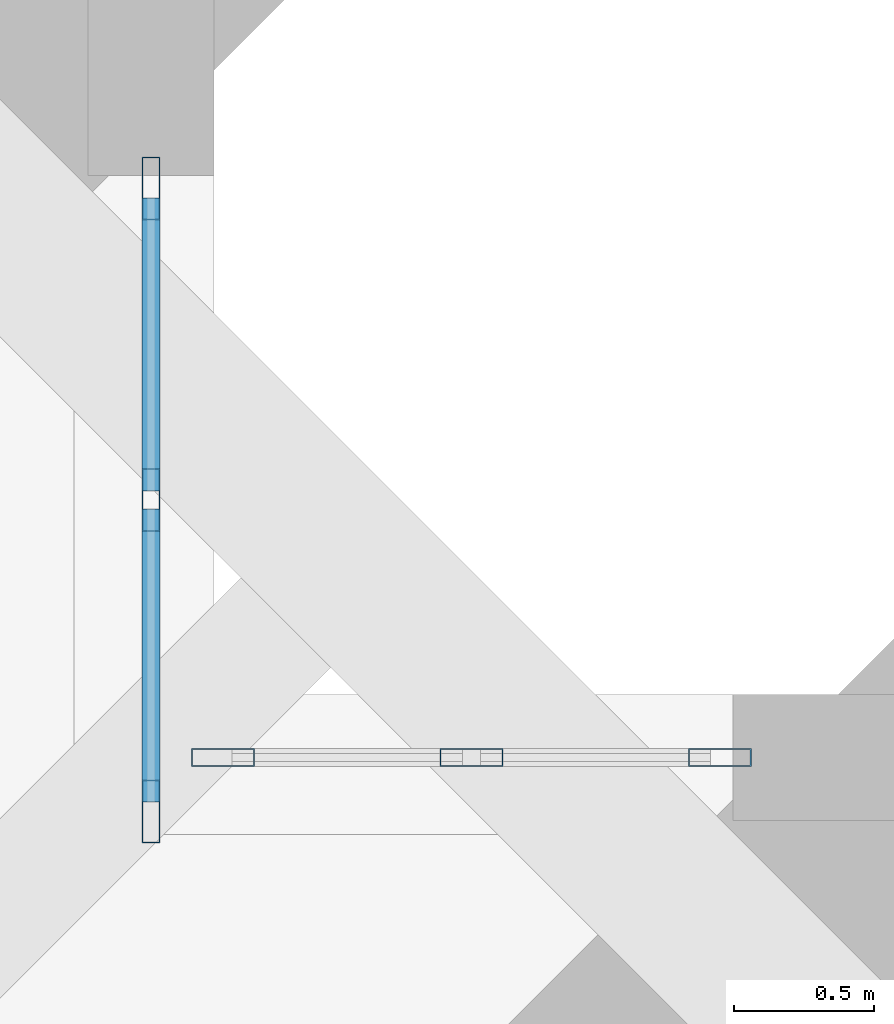
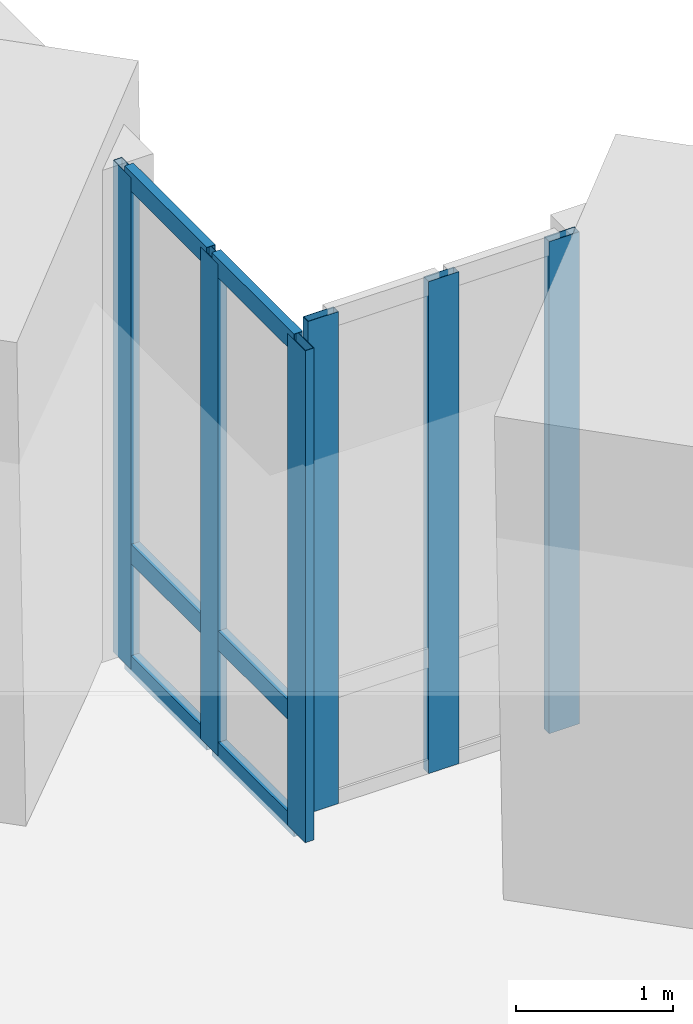
# One storey, part 8 of 16: 12 members, 2 elements without a shape of their own.
"""IFC4 building model written with IfcOpenShell, lengths in metres."""

from ifc_helpers import new_model, si_unit, direction, frame, origin, origin_2d, place, context, subcontext, project, spatial, hollow_rectangle, extrude, material, material_profile, profile_set, type_object, element, aggregate, save


model = new_model("IFC4")

# Units and contexts
model_context = context("Model", 3, precision=1e-05, world=origin(), true_north=direction((0.0, 1.0)))
body_context = subcontext(model_context, "Body", "Model", "MODEL_VIEW")
ifc_project = project(units=[si_unit("LENGTHUNIT", "METRE"), si_unit("AREAUNIT", "SQUARE_METRE"), si_unit("VOLUMEUNIT", "CUBIC_METRE"), si_unit("PLANEANGLEUNIT", "RADIAN"), si_unit("MASSUNIT", "GRAM", prefix="KILO")], contexts=[model_context])

# Site, building, storey
site_placement = place(None, origin())
site = spatial("IfcSite", under=ifc_project, at=site_placement, CompositionType="ELEMENT")
building_placement = place(site_placement, origin())
building = spatial("IfcBuilding", under=site, at=building_placement, Name="Peilmerk Tower", CompositionType="ELEMENT")
storey_placement = place(building_placement, frame((0.0, 0.0, 127.800048828125)))
storey = spatial("IfcBuildingStorey", under=building, at=storey_placement, Name="L25", CompositionType="ELEMENT", Elevation=127.800048828125)

# Curtain wall, members
ifc_material_1 = material(Name="Aluminium stick curtain wall", Category="aluminium")
curtain_wall_type = type_object("IfcCurtainWallType", Name="CW3 stick curtain wall, 2250 module", PredefinedType="NOTDEFINED", material=ifc_material_1)
curtain_wall_1_placement = place(storey_placement, origin())
curtain_wall_1 = element("IfcCurtainWall", 1, at=curtain_wall_1_placement, inside=storey, type_object=curtain_wall_type, Name="Curtain wall CW3 NEA L25", PredefinedType="NOTDEFINED")
ifc_material_2 = material(Name="Aluminium EN AW-6063 T6", Category="aluminium")
ifc_material_profile_1 = material_profile(ifc_material_2, hollow_rectangle(XDim=0.06494140625, YDim=0.22509765625, WallThickness=0.00390625, at=origin_2d()), Name="AL 225x65x4")
ifc_profile_set_1 = profile_set([ifc_material_profile_1], Name="Aluminium EN AW-6063 T6")
member_type_1 = type_object("IfcMemberType", Name="CW3-M AL 225x65x4 mullion", PredefinedType="MULLION", material=ifc_profile_set_1)
member_1_placement = place(storey_placement, frame((22.875, 22.6826171875, 0.0), z_axis=(0.0, 0.0, 1.0), x_axis=(-1.0, 0.0, 0.0)))
member_1 = element("IfcMember", 2, at=member_1_placement, type_object=member_type_1, Name="CW3 mullion 1", PredefinedType="MULLION", context=body_context, shape_type="SweptSolid", body=[
    extrude(hollow_rectangle(XDim=0.06494140625, YDim=0.22509765625, WallThickness=0.00390625, at=origin_2d()), origin(), (0.0, 0.0, 1.0), 3.829833984375),
])
member_2_placement = place(storey_placement, frame((22.875, 23.79443359375, 0.0), z_axis=(0.0, 0.0, 1.0), x_axis=(-1.0, 0.0, 0.0)))
member_2 = element("IfcMember", 3, at=member_2_placement, type_object=member_type_1, Name="CW3 mullion 2", PredefinedType="MULLION", context=body_context, shape_type="SweptSolid", body=[
    extrude(hollow_rectangle(XDim=0.06494140625, YDim=0.22509765625, WallThickness=0.00390625, at=origin_2d()), origin(), (0.0, 0.0, 1.0), 3.829833984375),
])
member_3_placement = place(storey_placement, frame((22.875, 24.90625, 0.0), z_axis=(0.0, 0.0, 1.0), x_axis=(-1.0, 0.0, 0.0)))
member_3 = element("IfcMember", 4, at=member_3_placement, type_object=member_type_1, Name="CW3 mullion 3", PredefinedType="MULLION", context=body_context, shape_type="SweptSolid", body=[
    extrude(hollow_rectangle(XDim=0.06494140625, YDim=0.22509765625, WallThickness=0.00390625, at=origin_2d()), origin(), (0.0, 0.0, 1.0), 3.829833984375),
])

curtain_wall_2_placement = place(storey_placement, origin())
curtain_wall_2 = element("IfcCurtainWall", 5, at=curtain_wall_2_placement, inside=storey, type_object=curtain_wall_type, Name="Curtain wall CW3 NEB L25", PredefinedType="NOTDEFINED")
member_4_placement = place(storey_placement, frame((23.132568359375, 22.875, 0.0), z_axis=(0.0, 0.0, 1.0), x_axis=(0.0, 1.0, 0.0)))
member_4 = element("IfcMember", 6, at=member_4_placement, type_object=member_type_1, Name="CW3 mullion 1", PredefinedType="MULLION", context=body_context, shape_type="SweptSolid", body=[
    extrude(hollow_rectangle(XDim=0.06494140625, YDim=0.22509765625, WallThickness=0.00390625, at=origin_2d()), origin(), (0.0, 0.0, 1.0), 3.829833984375),
])
member_5_placement = place(storey_placement, frame((24.019287109375, 22.875, 0.0), z_axis=(0.0, 0.0, 1.0), x_axis=(0.0, 1.0, 0.0)))
member_5 = element("IfcMember", 7, at=member_5_placement, type_object=member_type_1, Name="CW3 mullion 2", PredefinedType="MULLION", context=body_context, shape_type="SweptSolid", body=[
    extrude(hollow_rectangle(XDim=0.06494140625, YDim=0.22509765625, WallThickness=0.00390625, at=origin_2d()), origin(), (0.0, 0.0, 1.0), 3.829833984375),
])
member_6_placement = place(storey_placement, frame((24.90625, 22.875, 0.0), z_axis=(0.0, 0.0, 1.0), x_axis=(0.0, 1.0, 0.0)))
member_6 = element("IfcMember", 8, at=member_6_placement, type_object=member_type_1, Name="CW3 mullion 3", PredefinedType="MULLION", context=body_context, shape_type="SweptSolid", body=[
    extrude(hollow_rectangle(XDim=0.06494140625, YDim=0.22509765625, WallThickness=0.00390625, at=origin_2d()), origin(), (0.0, 0.0, 1.0), 3.829833984375),
])
aggregate(curtain_wall_2, [member_4, member_5, member_6])

# Member
ifc_material_profile_2 = material_profile(ifc_material_2, hollow_rectangle(XDim=0.06494140625, YDim=0.14990234375, WallThickness=0.0029296875, at=origin_2d()), Name="AL 150x65x3")
ifc_profile_set_2 = profile_set([ifc_material_profile_2], Name="Aluminium EN AW-6063 T6")
member_type_2 = type_object("IfcMemberType", Name="CW3-T AL 150x65x3 transom", PredefinedType="USERDEFINED", material=ifc_profile_set_2)
member_7_placement = place(storey_placement, frame((22.875, 22.715087890625, 0.032470703125), z_axis=(0.0, 1.0, 0.0), x_axis=(-1.0, 0.0, 0.0)))
member_7 = element("IfcMember", 9, at=member_7_placement, type_object=member_type_2, Name="CW3 transom 1.1", ObjectType="TRANSOM", PredefinedType="USERDEFINED", context=body_context, shape_type="SweptSolid", body=[
    extrude(hollow_rectangle(XDim=0.06494140625, YDim=0.14990234375, WallThickness=0.0029296875, at=origin_2d()), origin(), (0.0, 0.0, 1.0), 1.046630859375),
])

member_8_placement = place(storey_placement, frame((22.875, 22.715087890625, 0.89990234375), z_axis=(0.0, 1.0, 0.0), x_axis=(-1.0, 0.0, 0.0)))
member_8 = element("IfcMember", 10, at=member_8_placement, type_object=member_type_2, Name="CW3 transom 1.2", ObjectType="TRANSOM", PredefinedType="USERDEFINED", context=body_context, shape_type="SweptSolid", body=[
    extrude(hollow_rectangle(XDim=0.06494140625, YDim=0.14990234375, WallThickness=0.0029296875, at=origin_2d()), origin(), (0.0, 0.0, 1.0), 1.046630859375),
])

member_9_placement = place(storey_placement, frame((22.875, 22.715087890625, 3.79736328125), z_axis=(0.0, 1.0, 0.0), x_axis=(-1.0, 0.0, 0.0)))
member_9 = element("IfcMember", 11, at=member_9_placement, type_object=member_type_2, Name="CW3 transom 1.3", ObjectType="TRANSOM", PredefinedType="USERDEFINED", context=body_context, shape_type="SweptSolid", body=[
    extrude(hollow_rectangle(XDim=0.06494140625, YDim=0.14990234375, WallThickness=0.0029296875, at=origin_2d()), origin(), (0.0, 0.0, 1.0), 1.046630859375),
])

member_10_placement = place(storey_placement, frame((22.875, 23.826904296875, 0.032470703125), z_axis=(0.0, 1.0, 0.0), x_axis=(-1.0, 0.0, 0.0)))
member_10 = element("IfcMember", 12, at=member_10_placement, type_object=member_type_2, Name="CW3 transom 2.1", ObjectType="TRANSOM", PredefinedType="USERDEFINED", context=body_context, shape_type="SweptSolid", body=[
    extrude(hollow_rectangle(XDim=0.06494140625, YDim=0.14990234375, WallThickness=0.0029296875, at=origin_2d()), origin(), (0.0, 0.0, 1.0), 1.046875),
])

member_11_placement = place(storey_placement, frame((22.875, 23.826904296875, 0.89990234375), z_axis=(0.0, 1.0, 0.0), x_axis=(-1.0, 0.0, 0.0)))
member_11 = element("IfcMember", 13, at=member_11_placement, type_object=member_type_2, Name="CW3 transom 2.2", ObjectType="TRANSOM", PredefinedType="USERDEFINED", context=body_context, shape_type="SweptSolid", body=[
    extrude(hollow_rectangle(XDim=0.06494140625, YDim=0.14990234375, WallThickness=0.0029296875, at=origin_2d()), origin(), (0.0, 0.0, 1.0), 1.046875),
])

member_12_placement = place(storey_placement, frame((22.875, 23.826904296875, 3.79736328125), z_axis=(0.0, 1.0, 0.0), x_axis=(-1.0, 0.0, 0.0)))
member_12 = element("IfcMember", 14, at=member_12_placement, type_object=member_type_2, Name="CW3 transom 2.3", ObjectType="TRANSOM", PredefinedType="USERDEFINED", context=body_context, shape_type="SweptSolid", body=[
    extrude(hollow_rectangle(XDim=0.06494140625, YDim=0.14990234375, WallThickness=0.0029296875, at=origin_2d()), origin(), (0.0, 0.0, 1.0), 1.046875),
])

aggregate(curtain_wall_1, [member_1, member_2, member_3, member_7, member_8, member_9, member_10, member_11, member_12])

save(model, "model.ifc")
